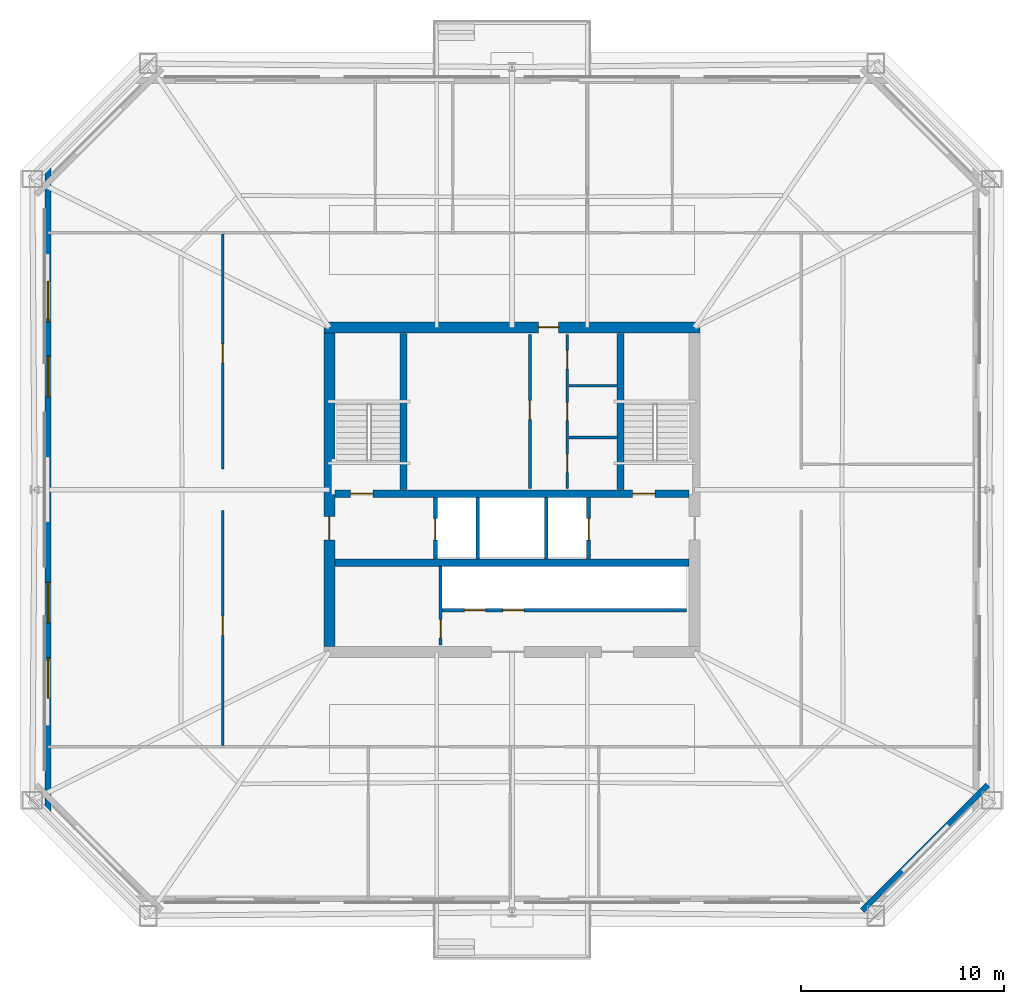
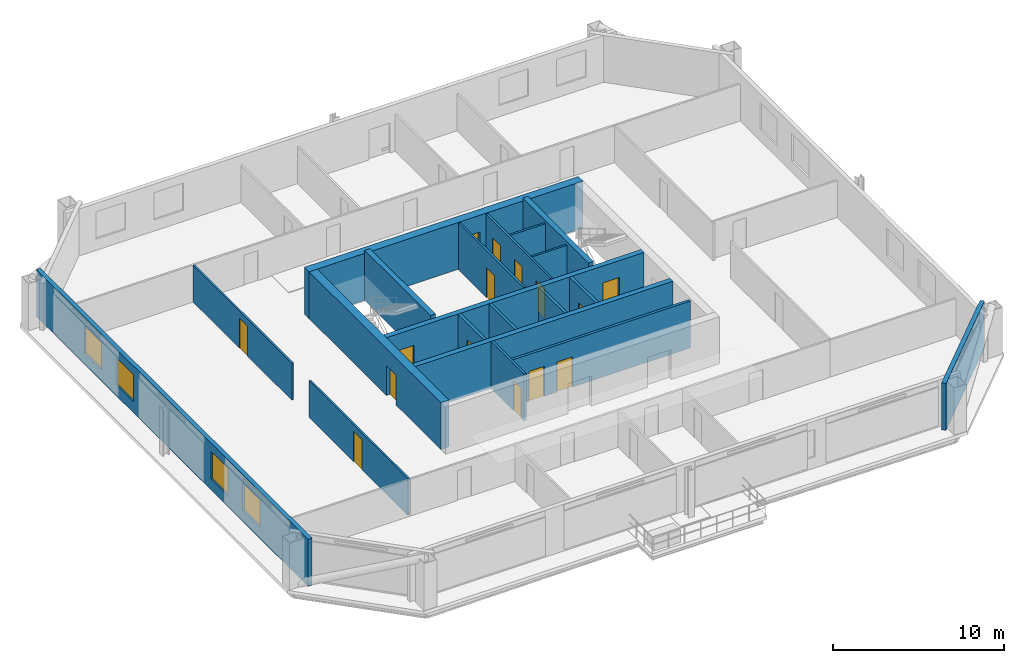
# One storey, part 3 of 7: 20 walls, 15 doors, 4 windows, 19 openings.
"""IFC4 building model written with IfcOpenShell, lengths in metres."""

from ifc_helpers import new_model, si_unit, direction, frame, frame_2d, origin, place, context, subcontext, project, spatial, rectangle, extrude, material, layer, layer_set, type_object, element, fill, save


model = new_model("IFC4")

# Units and contexts
model_context = context("Model", 3, precision=1e-05, world=origin(), true_north=direction((0.0, 1.0)))
body_context = subcontext(model_context, "Body", "Model", "MODEL_VIEW")
ifc_project = project(units=[si_unit("LENGTHUNIT", "METRE"), si_unit("AREAUNIT", "SQUARE_METRE"), si_unit("VOLUMEUNIT", "CUBIC_METRE"), si_unit("PLANEANGLEUNIT", "RADIAN"), si_unit("MASSUNIT", "GRAM", prefix="KILO")], contexts=[model_context])

# Site, building, storey
site_placement = place(None, origin())
site = spatial("IfcSite", under=ifc_project, at=site_placement, CompositionType="ELEMENT")
building_placement = place(site_placement, origin())
building = spatial("IfcBuilding", under=site, at=building_placement, Name="Caelvoria Tower", CompositionType="ELEMENT")
storey_placement = place(building_placement, frame((0.0, 0.0, 109.60009765625)))
storey = spatial("IfcBuildingStorey", under=building, at=storey_placement, Name="L28", CompositionType="ELEMENT", Elevation=109.60009765625)

# Wall, openings, doors
ifc_material_1 = material(Name="Concrete C50/60", Category="concrete")
ifc_layer_1 = layer(ifc_material_1, 0.35009765625, Name="Concrete C50/60")
ifc_layer_set_1 = layer_set([ifc_layer_1], Name="Core Internal Shear Wall 350 - Concrete C50/60")
wall_type_1 = type_object("IfcWallType", Name="Core Internal Shear Wall 350", PredefinedType="SHEAR", material=ifc_layer_set_1)
wall_1_placement = place(storey_placement, frame((37.27490234375, 31.800048828125, 0.0), z_axis=(0.0, 0.0, 1.0), x_axis=(1.0, 0.0, 0.0)))
wall_1 = element("IfcWall", 1, at=wall_1_placement, inside=storey, type_object=wall_type_1, Name="Core Shear Wall L28 M1", PredefinedType="SHEAR", context=body_context, shape_type="SweptSolid", body=[
    extrude(rectangle(XDim=17.4501953125, YDim=0.35009765625, at=frame_2d((8.72509765625, 0.0))), origin(), (0.0, 0.0, 1.0), 3.35986328125),
])
opening_1_placement = place(wall_1_placement, frame((0.77490234375, 0.0, 0.0)))
opening_1 = element("IfcOpeningElement", 2, at=opening_1_placement, cuts=wall_1, Name="Opening ID-01", PredefinedType="OPENING", context=body_context, shape_type="SweptSolid", body=[
    extrude(rectangle(XDim=1.10009765625, YDim=2.14990234375, at=frame_2d((0.550048828125, 1.074951171875))), frame((0.0, 0.18505859375, 0.0), z_axis=(0.0, -1.0, 0.0), x_axis=(1.0, 0.0, 0.0)), (0.0, 0.0, 1.0), 0.3701171875),
])
opening_2_placement = place(wall_1_placement, frame((14.675048828125, 0.0, 0.0)))
opening_2 = element("IfcOpeningElement", 3, at=opening_2_placement, cuts=wall_1, Name="Opening ID-01", PredefinedType="OPENING", context=body_context, shape_type="SweptSolid", body=[
    extrude(rectangle(XDim=1.10009765625, YDim=2.14990234375, at=frame_2d((0.550048828125, 1.074951171875))), frame((0.0, 0.18505859375, 0.0), z_axis=(0.0, -1.0, 0.0), x_axis=(1.0, 0.0, 0.0)), (0.0, 0.0, 1.0), 0.3701171875),
])
ifc_material_2 = material(Name="Painted Hollow Steel Fire Door", Category="steel")
door_type_1 = type_object("IfcDoorType", Name="Fire Door FD90S 1100x2150", OperationType="NOTDEFINED", PredefinedType="DOOR", material=ifc_material_2)
door_1_placement = place(opening_1_placement, origin())
door_1 = element("IfcDoor", 4, at=door_1_placement, inside=storey, type_object=door_type_1, Name="Core Door DR-L28-ST1", OperationType="SINGLE_SWING_LEFT", OverallHeight=2.14990234375, OverallWidth=1.10009765625, PredefinedType="DOOR", context=body_context, shape_type="SweptSolid", body=[
    extrude(rectangle(XDim=1.10009765625, YDim=2.14990234375, at=frame_2d((0.550048828125, 1.074951171875))), frame((0.0, 0.02490234375, 0.0), z_axis=(0.0, -1.0, 0.0), x_axis=(1.0, 0.0, 0.0)), (0.0, 0.0, 1.0), 0.050048828125),
])
fill(opening_1, door_1)
door_2_placement = place(opening_2_placement, origin())
door_2 = element("IfcDoor", 5, at=door_2_placement, inside=storey, type_object=door_type_1, Name="Core Door DR-L28-ST2", OperationType="SINGLE_SWING_RIGHT", OverallHeight=2.14990234375, OverallWidth=1.10009765625, PredefinedType="DOOR", context=body_context, shape_type="SweptSolid", body=[
    extrude(rectangle(XDim=1.10009765625, YDim=2.14990234375, at=frame_2d((0.550048828125, 1.074951171875))), frame((0.0, 0.02490234375, 0.0), z_axis=(0.0, -1.0, 0.0), x_axis=(1.0, 0.0, 0.0)), (0.0, 0.0, 1.0), 0.050048828125),
])
fill(opening_2, door_2)

# Walls
wall_2_placement = place(storey_placement, frame((37.27490234375, 28.39990234375, 0.0), z_axis=(0.0, 0.0, 1.0), x_axis=(1.0, 0.0, 0.0)))
element("IfcWall", 6, at=wall_2_placement, inside=storey, type_object=wall_type_1, Name="Core Shear Wall L28 M2", PredefinedType="SHEAR", context=body_context, shape_type="SweptSolid", body=[
    extrude(rectangle(XDim=17.4501953125, YDim=0.35009765625, at=frame_2d((8.72509765625, 0.0))), origin(), (0.0, 0.0, 1.0), 3.35986328125),
])
for number, where, z_axis, x_axis, name in (
    (7, (40.64990234375, 32.0, 0.0), (0.0, 0.0, 1.0), (0.0, 1.0, 0.0), "Interior Partition IW-L28-ST1E"),
    (8, (51.35009765625, 32.0, 0.0), (0.0, 0.0, 1.0), (0.0, 1.0, 0.0), "Interior Partition IW-L28-ST2W"),
):
    element("IfcWall", number, at=place(storey_placement, frame(where, z_axis=z_axis, x_axis=x_axis)), inside=storey, type_object=wall_type_1, Name=name, PredefinedType="SHEAR", context=body_context, shape_type="SweptSolid", body=[
        extrude(rectangle(XDim=7.699951171875, YDim=0.35009765625, at=frame_2d((3.85009765625, 0.0))), origin(), (0.0, 0.0, 1.0), 3.599853515625),
    ])

# Wall, opening, door
ifc_material_3 = material(Name="Moisture-Resistant Gypsum on Steel Stud", Category="steel")
ifc_layer_2 = layer(ifc_material_3, 0.139892578125, Name="Moisture-Resistant Gypsum on Steel Stud")
ifc_layer_set_2 = layer_set([ifc_layer_2], Name="Core Sanitary Acoustic Partition Wall 140 - Moisture-Resistant Gypsum on Steel Stud")
wall_type_2 = type_object("IfcWallType", Name="Core Sanitary Acoustic Partition Wall 140", PredefinedType="PARTITIONING", material=ifc_layer_set_2)
wall_3_placement = place(storey_placement, frame((46.8798828125, 32.050048828125, 0.0), z_axis=(0.0, 0.0, 1.0), x_axis=(0.0, 1.0, 0.0)))
wall_3 = element("IfcWall", 9, at=wall_3_placement, inside=storey, type_object=wall_type_2, Name="Interior Partition IW-L28-C2L", PredefinedType="PARTITIONING", context=body_context, shape_type="SweptSolid", body=[
    extrude(rectangle(XDim=7.599853515625, YDim=0.139892578125, at=frame_2d((3.7998046875, 0.0))), origin(), (0.0, 0.0, 1.0), 3.35986328125),
])
opening_3_placement = place(wall_3_placement, frame((3.39990234375, 0.0, 0.0)))
opening_3 = element("IfcOpeningElement", 10, at=opening_3_placement, cuts=wall_3, Name="Opening ID-05", PredefinedType="OPENING", context=body_context, shape_type="SweptSolid", body=[
    extrude(rectangle(XDim=0.949951171875, YDim=2.14990234375, at=frame_2d((0.47509765625, 1.074951171875))), frame((0.0, 0.079833984375, 0.0), z_axis=(0.0, -1.0, 0.0), x_axis=(1.0, 0.0, 0.0)), (0.0, 0.0, 1.0), 0.159912109375),
])
ifc_material_4 = material(Name="Engineered Andean Oak Veneer Door", Category="wood")
door_type_2 = type_object("IfcDoorType", Name="Interior Timber Door 950x2150", OperationType="NOTDEFINED", PredefinedType="DOOR", material=ifc_material_4)
door_3_placement = place(opening_3_placement, origin())
door_3 = element("IfcDoor", 11, at=door_3_placement, inside=storey, type_object=door_type_2, Name="Interior Door DR-L28-C2W", OperationType="SINGLE_SWING_LEFT", OverallHeight=2.14990234375, OverallWidth=0.949951171875, PredefinedType="DOOR", context=body_context, shape_type="SweptSolid", body=[
    extrude(rectangle(XDim=0.949951171875, YDim=2.14990234375, at=frame_2d((0.47509765625, 1.074951171875))), frame((0.0, 0.02490234375, 0.0), z_axis=(0.0, -1.0, 0.0), x_axis=(1.0, 0.0, 0.0)), (0.0, 0.0, 1.0), 0.050048828125),
])
fill(opening_3, door_3)

# Wall, openings, doors
wall_4_placement = place(storey_placement, frame((48.719970703125, 32.050048828125, 0.0), z_axis=(0.0, 0.0, 1.0), x_axis=(0.0, 1.0, 0.0)))
wall_4 = element("IfcWall", 12, at=wall_4_placement, inside=storey, type_object=wall_type_2, Name="Interior Partition IW-L28-C2R", PredefinedType="PARTITIONING", context=body_context, shape_type="SweptSolid", body=[
    extrude(rectangle(XDim=7.599853515625, YDim=0.139892578125, at=frame_2d((3.7998046875, 0.0))), origin(), (0.0, 0.0, 1.0), 3.35986328125),
])
opening_4_placement = place(wall_4_placement, frame((0.800048828125, 0.0, 0.0)))
opening_4 = element("IfcOpeningElement", 13, at=opening_4_placement, cuts=wall_4, Name="Opening ID-04", PredefinedType="OPENING", context=body_context, shape_type="SweptSolid", body=[
    extrude(rectangle(XDim=0.89990234375, YDim=2.14990234375, at=frame_2d((0.449951171875, 1.074951171875))), frame((0.0, 0.079833984375, 0.0), z_axis=(0.0, -1.0, 0.0), x_axis=(1.0, 0.0, 0.0)), (0.0, 0.0, 1.0), 0.159912109375),
])
opening_5_placement = place(wall_4_placement, frame((3.35009765625, 0.0, 0.0)))
opening_5 = element("IfcOpeningElement", 14, at=opening_5_placement, cuts=wall_4, Name="Opening ID-06", PredefinedType="OPENING", context=body_context, shape_type="SweptSolid", body=[
    extrude(rectangle(XDim=0.89990234375, YDim=2.14990234375, at=frame_2d((0.449951171875, 1.074951171875))), frame((0.0, 0.079833984375, 0.0), z_axis=(0.0, -1.0, 0.0), x_axis=(1.0, 0.0, 0.0)), (0.0, 0.0, 1.0), 0.159912109375),
])
opening_6_placement = place(wall_4_placement, frame((5.89990234375, 0.0, 0.0)))
opening_6 = element("IfcOpeningElement", 15, at=opening_6_placement, cuts=wall_4, Name="Opening ID-07", PredefinedType="OPENING", context=body_context, shape_type="SweptSolid", body=[
    extrude(rectangle(XDim=0.919921875, YDim=2.14990234375, at=frame_2d((0.4599609375, 1.074951171875))), frame((0.0, 0.079833984375, 0.0), z_axis=(0.0, -1.0, 0.0), x_axis=(1.0, 0.0, 0.0)), (0.0, 0.0, 1.0), 0.159912109375),
])
ifc_material_5 = material(Name="Engineered Andean Oak Accessible Door", Category="wood")
door_type_3 = type_object("IfcDoorType", Name="Accessible WC Door 950x2150", OperationType="NOTDEFINED", PredefinedType="DOOR", material=ifc_material_5)
door_4_placement = place(opening_6_placement, origin())
door_4 = element("IfcDoor", 16, at=door_4_placement, inside=storey, type_object=door_type_3, Name="Interior Door DR-L28-C2E3", OperationType="SINGLE_SWING_RIGHT", OverallHeight=2.14990234375, OverallWidth=0.919921875, PredefinedType="DOOR", context=body_context, shape_type="SweptSolid", body=[
    extrude(rectangle(XDim=0.919921875, YDim=2.14990234375, at=frame_2d((0.4599609375, 1.074951171875))), frame((0.0, 0.02490234375, 0.0), z_axis=(0.0, -1.0, 0.0), x_axis=(1.0, 0.0, 0.0)), (0.0, 0.0, 1.0), 0.050048828125),
])
fill(opening_6, door_4)
ifc_material_6 = material(Name="Acoustic Timber Fire Door", Category="wood")
door_type_4 = type_object("IfcDoorType", Name="Fire Door FD30S 900x2150", OperationType="NOTDEFINED", PredefinedType="DOOR", material=ifc_material_6)
door_5_placement = place(opening_4_placement, origin())
door_5 = element("IfcDoor", 17, at=door_5_placement, inside=storey, type_object=door_type_4, Name="Interior Door DR-L28-C2E1", OperationType="SINGLE_SWING_RIGHT", OverallHeight=2.14990234375, OverallWidth=0.89990234375, PredefinedType="DOOR", context=body_context, shape_type="SweptSolid", body=[
    extrude(rectangle(XDim=0.89990234375, YDim=2.14990234375, at=frame_2d((0.449951171875, 1.074951171875))), frame((0.0, 0.02490234375, 0.0), z_axis=(0.0, -1.0, 0.0), x_axis=(1.0, 0.0, 0.0)), (0.0, 0.0, 1.0), 0.050048828125),
])
fill(opening_4, door_5)
door_type_5 = type_object("IfcDoorType", Name="Interior Timber Door 900x2150", OperationType="NOTDEFINED", PredefinedType="DOOR", material=ifc_material_4)
door_6_placement = place(opening_5_placement, origin())
door_6 = element("IfcDoor", 18, at=door_6_placement, inside=storey, type_object=door_type_5, Name="Interior Door DR-L28-C2E2", OperationType="SINGLE_SWING_LEFT", OverallHeight=2.14990234375, OverallWidth=0.89990234375, PredefinedType="DOOR", context=body_context, shape_type="SweptSolid", body=[
    extrude(rectangle(XDim=0.89990234375, YDim=2.14990234375, at=frame_2d((0.449951171875, 1.074951171875))), frame((0.0, 0.02490234375, 0.0), z_axis=(0.0, -1.0, 0.0), x_axis=(1.0, 0.0, 0.0)), (0.0, 0.0, 1.0), 0.050048828125),
])
fill(opening_5, door_6)

# Walls
for number, where, z_axis, x_axis, name in (
    (19, (48.800048828125, 34.580078125, 0.0), (0.0, 0.0, 1.0), (1.0, 0.0, 0.0), "Interior Partition IW-L28-C2H1"),
    (20, (48.800048828125, 37.1201171875, 0.0), (0.0, 0.0, 1.0), (1.0, 0.0, 0.0), "Interior Partition IW-L28-C2H2"),
):
    element("IfcWall", number, at=place(storey_placement, frame(where, z_axis=z_axis, x_axis=x_axis)), inside=storey, type_object=wall_type_2, Name=name, PredefinedType="PARTITIONING", context=body_context, shape_type="SweptSolid", body=[
        extrude(rectangle(XDim=2.39990234375, YDim=0.139892578125, at=frame_2d((1.199951171875, 0.0))), origin(), (0.0, 0.0, 1.0), 3.35986328125),
    ])

# Wall, opening, door
ifc_material_7 = material(Name="Double Gypsum Board on Steel Stud", Category="steel")
ifc_layer_3 = layer(ifc_material_7, 0.14990234375, Name="Double Gypsum Board on Steel Stud")
ifc_layer_set_3 = layer_set([ifc_layer_3], Name="Core Service Acoustic Partition Wall 150 - Double Gypsum Board on Steel Stud")
wall_type_3 = type_object("IfcWallType", Name="Core Service Acoustic Partition Wall 150", PredefinedType="PARTITIONING", material=ifc_layer_set_3)
wall_5_placement = place(storey_placement, frame((42.47998046875, 24.35009765625, 0.0), z_axis=(0.0, 0.0, 1.0), x_axis=(0.0, 1.0, 0.0)))
wall_5 = element("IfcWall", 21, at=wall_5_placement, inside=storey, type_object=wall_type_3, Name="Interior Partition IW-L28-RECL1E", PredefinedType="PARTITIONING", context=body_context, shape_type="SweptSolid", body=[
    extrude(rectangle(XDim=3.89990234375, YDim=0.14990234375, at=frame_2d((1.949951171875, 0.0))), origin(), (0.0, 0.0, 1.0), 3.35986328125),
])
opening_7_placement = place(wall_5_placement, frame((0.35009765625, 0.0, 0.0)))
opening_7 = element("IfcOpeningElement", 22, at=opening_7_placement, cuts=wall_5, Name="Opening ID-04", PredefinedType="OPENING", context=body_context, shape_type="SweptSolid", body=[
    extrude(rectangle(XDim=0.89990234375, YDim=2.14990234375, at=frame_2d((0.449951171875, 1.074951171875))), frame((0.0, 0.0849609375, 0.0), z_axis=(0.0, -1.0, 0.0), x_axis=(1.0, 0.0, 0.0)), (0.0, 0.0, 1.0), 0.169921875),
])
door_7_placement = place(opening_7_placement, origin())
door_7 = element("IfcDoor", 23, at=door_7_placement, inside=storey, type_object=door_type_4, Name="Interior Door DR-L28-RECL1", OperationType="SINGLE_SWING_LEFT", OverallHeight=2.14990234375, OverallWidth=0.89990234375, PredefinedType="DOOR", context=body_context, shape_type="SweptSolid", body=[
    extrude(rectangle(XDim=0.89990234375, YDim=2.14990234375, at=frame_2d((0.449951171875, 1.074951171875))), frame((0.0, 0.02490234375, 0.0), z_axis=(0.0, -1.0, 0.0), x_axis=(1.0, 0.0, 0.0)), (0.0, 0.0, 1.0), 0.050048828125),
])
fill(opening_7, door_7)

# Wall
ifc_material_8 = material(Name="Precast Concrete C40/50 with Bronze Cladding", Category="concrete")
ifc_layer_4 = layer(ifc_material_8, 0.280029296875, Name="Precast Concrete C40/50 with Bronze Cladding")
ifc_layer_set_4 = layer_set([ifc_layer_4], Name="Exterior Precast Concrete C40/50 Bronze-Clad Facade Wall 280 - Precast Concrete C40/50 with Bronze Cladding")
wall_type_4 = type_object("IfcWallType", Name="Exterior Precast Concrete C40/50 Bronze-Clad Facade Wall 280", PredefinedType="STANDARD", material=ifc_layer_set_4)
wall_6_placement = place(storey_placement, frame((63.25439453125, 11.256103515625, 0.0), z_axis=(0.0, 0.0, 1.0), x_axis=(0.707106781187, 0.707106781187, 0.0)))
element("IfcWall", 24, at=wall_6_placement, inside=storey, type_object=wall_type_4, Name="Exterior Facade Wall L28-E1", PredefinedType="STANDARD", context=body_context, shape_type="SweptSolid", body=[
    extrude(rectangle(XDim=8.753173828125, YDim=0.280029296875, at=frame_2d((4.37646484375, 0.0))), origin(), (0.0, 0.0, 1.0), 3.35986328125),
])

# Wall, openings, windows
wall_7_placement = place(storey_placement, frame((23.1298828125, 47.93994140625, 0.0), z_axis=(0.0, 0.0, 1.0), x_axis=(0.0, -1.0, 0.0)))
wall_7 = element("IfcWall", 25, at=wall_7_placement, inside=storey, type_object=wall_type_4, Name="Exterior Facade Wall L28-E6", PredefinedType="STANDARD", context=body_context, shape_type="SweptSolid", body=[
    extrude(rectangle(XDim=31.8798828125, YDim=0.280029296875, at=frame_2d((15.93994140625, 0.0))), origin(), (0.0, 0.0, 1.0), 3.35986328125),
])
opening_8_placement = place(wall_7_placement, frame((5.6650390625, 0.0, 0.800048828125)))
opening_8 = element("IfcOpeningElement", 26, at=opening_8_placement, cuts=wall_7, Name="Opening WN-01", PredefinedType="OPENING", context=body_context, shape_type="SweptSolid", body=[
    extrude(rectangle(XDim=2.0, YDim=1.949951171875, at=frame_2d((1.0, 0.97509765625))), frame((0.0, 0.14990234375, 0.0), z_axis=(0.0, -1.0, 0.0), x_axis=(1.0, 0.0, 0.0)), (0.0, 0.0, 1.0), 0.300048828125),
])
opening_9_placement = place(wall_7_placement, frame((9.375, 0.0, 0.800048828125)))
opening_9 = element("IfcOpeningElement", 27, at=opening_9_placement, cuts=wall_7, Name="Opening WN-01", PredefinedType="OPENING", context=body_context, shape_type="SweptSolid", body=[
    extrude(rectangle(XDim=2.0, YDim=1.949951171875, at=frame_2d((1.0, 0.97509765625))), frame((0.0, 0.14990234375, 0.0), z_axis=(0.0, -1.0, 0.0), x_axis=(1.0, 0.0, 0.0)), (0.0, 0.0, 1.0), 0.300048828125),
])
opening_10_placement = place(wall_7_placement, frame((20.5048828125, 0.0, 0.800048828125)))
opening_10 = element("IfcOpeningElement", 28, at=opening_10_placement, cuts=wall_7, Name="Opening WN-01", PredefinedType="OPENING", context=body_context, shape_type="SweptSolid", body=[
    extrude(rectangle(XDim=2.0, YDim=1.949951171875, at=frame_2d((1.0, 0.97509765625))), frame((0.0, 0.14990234375, 0.0), z_axis=(0.0, -1.0, 0.0), x_axis=(1.0, 0.0, 0.0)), (0.0, 0.0, 1.0), 0.300048828125),
])
opening_11_placement = place(wall_7_placement, frame((24.215087890625, 0.0, 0.800048828125)))
opening_11 = element("IfcOpeningElement", 29, at=opening_11_placement, cuts=wall_7, Name="Opening WN-01", PredefinedType="OPENING", context=body_context, shape_type="SweptSolid", body=[
    extrude(rectangle(XDim=2.0, YDim=1.949951171875, at=frame_2d((1.0, 0.97509765625))), frame((0.0, 0.14990234375, 0.0), z_axis=(0.0, -1.0, 0.0), x_axis=(1.0, 0.0, 0.0)), (0.0, 0.0, 1.0), 0.300048828125),
])
ifc_material_9 = material(Name="Low-E Tinted Glass in Bronze Aluminium Frame", Category="aluminium")
window_type = type_object("IfcWindowType", Name="Tower Office Vision Window 2000x1950", PartitioningType="SINGLE_PANEL", PredefinedType="WINDOW", material=ifc_material_9)
window_1_placement = place(opening_8_placement, origin())
window_1 = element("IfcWindow", 30, at=window_1_placement, inside=storey, type_object=window_type, Name="Facade Window L28-E6-01", OverallHeight=1.949951171875, OverallWidth=2.0, PartitioningType="SINGLE_PANEL", PredefinedType="WINDOW", context=body_context, shape_type="SweptSolid", body=[
    extrude(rectangle(XDim=2.0, YDim=1.949951171875, at=frame_2d((1.0, 0.97509765625))), frame((0.0, 0.030029296875, 0.0), z_axis=(0.0, -1.0, 0.0), x_axis=(1.0, 0.0, 0.0)), (0.0, 0.0, 1.0), 0.06005859375),
])
fill(opening_8, window_1)
window_2_placement = place(opening_9_placement, origin())
window_2 = element("IfcWindow", 31, at=window_2_placement, inside=storey, type_object=window_type, Name="Facade Window L28-E6-02", OverallHeight=1.949951171875, OverallWidth=2.0, PartitioningType="SINGLE_PANEL", PredefinedType="WINDOW", context=body_context, shape_type="SweptSolid", body=[
    extrude(rectangle(XDim=2.0, YDim=1.949951171875, at=frame_2d((1.0, 0.97509765625))), frame((0.0, 0.030029296875, 0.0), z_axis=(0.0, -1.0, 0.0), x_axis=(1.0, 0.0, 0.0)), (0.0, 0.0, 1.0), 0.06005859375),
])
fill(opening_9, window_2)
window_3_placement = place(opening_10_placement, origin())
window_3 = element("IfcWindow", 32, at=window_3_placement, inside=storey, type_object=window_type, Name="Facade Window L28-E6-05", OverallHeight=1.949951171875, OverallWidth=2.0, PartitioningType="SINGLE_PANEL", PredefinedType="WINDOW", context=body_context, shape_type="SweptSolid", body=[
    extrude(rectangle(XDim=2.0, YDim=1.949951171875, at=frame_2d((1.0, 0.97509765625))), frame((0.0, 0.030029296875, 0.0), z_axis=(0.0, -1.0, 0.0), x_axis=(1.0, 0.0, 0.0)), (0.0, 0.0, 1.0), 0.06005859375),
])
fill(opening_10, window_3)
window_4_placement = place(opening_11_placement, origin())
window_4 = element("IfcWindow", 33, at=window_4_placement, inside=storey, type_object=window_type, Name="Facade Window L28-E6-06", OverallHeight=1.949951171875, OverallWidth=2.0, PartitioningType="SINGLE_PANEL", PredefinedType="WINDOW", context=body_context, shape_type="SweptSolid", body=[
    extrude(rectangle(XDim=2.0, YDim=1.949951171875, at=frame_2d((1.0, 0.97509765625))), frame((0.0, 0.030029296875, 0.0), z_axis=(0.0, -1.0, 0.0), x_axis=(1.0, 0.0, 0.0)), (0.0, 0.0, 1.0), 0.06005859375),
])
fill(opening_11, window_4)

# Walls
ifc_material_10 = material(Name="Concrete Block and Fireboard Assembly", Category="concrete")
ifc_layer_5 = layer(ifc_material_10, 0.179931640625, Name="Concrete Block and Fireboard Assembly")
ifc_layer_set_5 = layer_set([ifc_layer_5], Name="Fire-Rated Hoistway Partition Wall 180 - Concrete Block and Fireboard Assembly")
wall_type_5 = type_object("IfcWallType", Name="Fire-Rated Hoistway Partition Wall 180", PredefinedType="PARTITIONING", material=ifc_layer_set_5)
for number, where, z_axis, x_axis, name in (
    (34, (44.320068359375, 28.580078125, 0.0), (0.0, 0.0, 1.0), (0.0, 1.0, 0.0), "Interior Partition IW-L28-SV1W"),
    (35, (47.679931640625, 28.580078125, 0.0), (0.0, 0.0, 1.0), (0.0, 1.0, 0.0), "Interior Partition IW-L28-SV1E"),
):
    element("IfcWall", number, at=place(storey_placement, frame(where, z_axis=z_axis, x_axis=x_axis)), inside=storey, type_object=wall_type_5, Name=name, PredefinedType="PARTITIONING", context=body_context, shape_type="SweptSolid", body=[
        extrude(rectangle(XDim=3.0400390625, YDim=0.179931640625, at=frame_2d((1.52001953125, 0.0))), origin(), (0.0, 0.0, 1.0), 3.35986328125),
    ])

# Wall, openings, doors
wall_8_placement = place(storey_placement, frame((42.550048828125, 26.050048828125, 0.0), z_axis=(0.0, 0.0, 1.0), x_axis=(1.0, 0.0, 0.0)))
wall_8 = element("IfcWall", 36, at=wall_8_placement, inside=storey, type_object=wall_type_5, Name="Interior Partition IW-L28-LFRONT", PredefinedType="PARTITIONING", context=body_context, shape_type="SweptSolid", body=[
    extrude(rectangle(XDim=12.050048828125, YDim=0.179931640625, at=frame_2d((6.02490234375, 0.0))), origin(), (0.0, 0.0, 1.0), 3.35986328125),
])
opening_12_placement = place(wall_8_placement, frame((1.10009765625, 0.0, 0.0)))
opening_12 = element("IfcOpeningElement", 37, at=opening_12_placement, cuts=wall_8, Name="Opening LD-01", PredefinedType="OPENING", context=body_context, shape_type="SweptSolid", body=[
    extrude(rectangle(XDim=1.050048828125, YDim=2.14990234375, at=frame_2d((0.52490234375, 1.074951171875))), frame((0.0, 0.099853515625, 0.0), z_axis=(0.0, -1.0, 0.0), x_axis=(1.0, 0.0, 0.0)), (0.0, 0.0, 1.0), 0.199951171875),
])
opening_13_placement = place(wall_8_placement, frame((3.0, 0.0, 0.0)))
opening_13 = element("IfcOpeningElement", 38, at=opening_13_placement, cuts=wall_8, Name="Opening LD-01", PredefinedType="OPENING", context=body_context, shape_type="SweptSolid", body=[
    extrude(rectangle(XDim=1.050048828125, YDim=2.14990234375, at=frame_2d((0.52490234375, 1.074951171875))), frame((0.0, 0.099853515625, 0.0), z_axis=(0.0, -1.0, 0.0), x_axis=(1.0, 0.0, 0.0)), (0.0, 0.0, 1.0), 0.199951171875),
])
ifc_material_11 = material(Name="Brushed Bronze Stainless Sliding Landing Door", Category="aluminium")
door_type_6 = type_object("IfcDoorType", Name="Lift Landing Sliding Door 1100x2150", OperationType="NOTDEFINED", PredefinedType="DOOR", material=ifc_material_11)
door_8_placement = place(opening_12_placement, origin())
door_8 = element("IfcDoor", 39, at=door_8_placement, inside=storey, type_object=door_type_6, Name="Interior Door LD-L28-PM1", OperationType="SLIDING_TO_LEFT", OverallHeight=2.14990234375, OverallWidth=1.050048828125, PredefinedType="DOOR", context=body_context, shape_type="SweptSolid", body=[
    extrude(rectangle(XDim=1.050048828125, YDim=2.14990234375, at=frame_2d((0.52490234375, 1.074951171875))), frame((0.0, 0.02490234375, 0.0), z_axis=(0.0, -1.0, 0.0), x_axis=(1.0, 0.0, 0.0)), (0.0, 0.0, 1.0), 0.050048828125),
])
fill(opening_12, door_8)
door_9_placement = place(opening_13_placement, origin())
door_9 = element("IfcDoor", 40, at=door_9_placement, inside=storey, type_object=door_type_6, Name="Interior Door LD-L28-PM2", OperationType="SLIDING_TO_RIGHT", OverallHeight=2.14990234375, OverallWidth=1.050048828125, PredefinedType="DOOR", context=body_context, shape_type="SweptSolid", body=[
    extrude(rectangle(XDim=1.050048828125, YDim=2.14990234375, at=frame_2d((0.52490234375, 1.074951171875))), frame((0.0, 0.02490234375, 0.0), z_axis=(0.0, -1.0, 0.0), x_axis=(1.0, 0.0, 0.0)), (0.0, 0.0, 1.0), 0.050048828125),
])
fill(opening_13, door_9)

# Wall, opening, door
ifc_layer_6 = layer(ifc_material_10, 0.199951171875, Name="Concrete Block and Fireboard Assembly")
ifc_layer_set_6 = layer_set([ifc_layer_6], Name="Fire-Rated Shaft and Core Partition Wall 200 - Concrete Block and Fireboard Assembly")
wall_type_6 = type_object("IfcWallType", Name="Fire-Rated Shaft and Core Partition Wall 200", PredefinedType="PARTITIONING", material=ifc_layer_set_6)
wall_9_placement = place(storey_placement, frame((42.219970703125, 28.580078125, 0.0), z_axis=(0.0, 0.0, 1.0), x_axis=(0.0, 1.0, 0.0)))
wall_9 = element("IfcWall", 41, at=wall_9_placement, inside=storey, type_object=wall_type_6, Name="Interior Partition IW-L28-LF1W", PredefinedType="PARTITIONING", context=body_context, shape_type="SweptSolid", body=[
    extrude(rectangle(XDim=3.0400390625, YDim=0.199951171875, at=frame_2d((1.52001953125, 0.0))), origin(), (0.0, 0.0, 1.0), 3.35986328125),
])
opening_14_placement = place(wall_9_placement, frame((0.949951171875, 0.0, 0.0)))
opening_14 = element("IfcOpeningElement", 42, at=opening_14_placement, cuts=wall_9, Name="Opening LD-01", PredefinedType="OPENING", context=body_context, shape_type="SweptSolid", body=[
    extrude(rectangle(XDim=1.050048828125, YDim=2.14990234375, at=frame_2d((0.52490234375, 1.074951171875))), frame((0.0, 0.10986328125, 0.0), z_axis=(0.0, -1.0, 0.0), x_axis=(1.0, 0.0, 0.0)), (0.0, 0.0, 1.0), 0.219970703125),
])
door_10_placement = place(opening_14_placement, origin())
door_10 = element("IfcDoor", 43, at=door_10_placement, inside=storey, type_object=door_type_6, Name="Interior Door LD-L28-LF1", OperationType="SLIDING_TO_LEFT", OverallHeight=2.14990234375, OverallWidth=1.050048828125, PredefinedType="DOOR", context=body_context, shape_type="SweptSolid", body=[
    extrude(rectangle(XDim=1.050048828125, YDim=2.14990234375, at=frame_2d((0.52490234375, 1.074951171875))), frame((0.0, 0.02490234375, 0.0), z_axis=(0.0, -1.0, 0.0), x_axis=(1.0, 0.0, 0.0)), (0.0, 0.0, 1.0), 0.050048828125),
])
fill(opening_14, door_10)

wall_10_placement = place(storey_placement, frame((49.780029296875, 28.580078125, 0.0), z_axis=(0.0, 0.0, 1.0), x_axis=(0.0, 1.0, 0.0)))
wall_10 = element("IfcWall", 44, at=wall_10_placement, inside=storey, type_object=wall_type_6, Name="Interior Partition IW-L28-LF2E", PredefinedType="PARTITIONING", context=body_context, shape_type="SweptSolid", body=[
    extrude(rectangle(XDim=3.0400390625, YDim=0.199951171875, at=frame_2d((1.52001953125, 0.0))), origin(), (0.0, 0.0, 1.0), 3.35986328125),
])
opening_15_placement = place(wall_10_placement, frame((0.949951171875, 0.0, 0.0)))
opening_15 = element("IfcOpeningElement", 45, at=opening_15_placement, cuts=wall_10, Name="Opening LD-01", PredefinedType="OPENING", context=body_context, shape_type="SweptSolid", body=[
    extrude(rectangle(XDim=1.050048828125, YDim=2.14990234375, at=frame_2d((0.52490234375, 1.074951171875))), frame((0.0, 0.10986328125, 0.0), z_axis=(0.0, -1.0, 0.0), x_axis=(1.0, 0.0, 0.0)), (0.0, 0.0, 1.0), 0.219970703125),
])
door_11_placement = place(opening_15_placement, origin())
door_11 = element("IfcDoor", 46, at=door_11_placement, inside=storey, type_object=door_type_6, Name="Interior Door LD-L28-LF2", OperationType="SLIDING_TO_RIGHT", OverallHeight=2.14990234375, OverallWidth=1.050048828125, PredefinedType="DOOR", context=body_context, shape_type="SweptSolid", body=[
    extrude(rectangle(XDim=1.050048828125, YDim=2.14990234375, at=frame_2d((0.52490234375, 1.074951171875))), frame((0.0, 0.02490234375, 0.0), z_axis=(0.0, -1.0, 0.0), x_axis=(1.0, 0.0, 0.0)), (0.0, 0.0, 1.0), 0.050048828125),
])
fill(opening_15, door_11)

ifc_material_12 = material(Name="Concrete C55/67", Category="concrete")
ifc_layer_7 = layer(ifc_material_12, 0.550048828125, Name="Concrete C55/67")
ifc_layer_set_7 = layer_set([ifc_layer_7], Name="Mid Core Shear Wall 550 - Concrete C55/67")
wall_type_7 = type_object("IfcWallType", Name="Mid Core Shear Wall 550", PredefinedType="SHEAR", material=ifc_layer_set_7)
wall_11_placement = place(storey_placement, frame((36.72509765625, 40.0, 0.0), z_axis=(0.0, 0.0, 1.0), x_axis=(1.0, 0.0, 0.0)))
wall_11 = element("IfcWall", 47, at=wall_11_placement, inside=storey, type_object=wall_type_7, Name="Core Shear Wall L28 N", PredefinedType="SHEAR", context=body_context, shape_type="SweptSolid", body=[
    extrude(rectangle(XDim=18.5498046875, YDim=0.550048828125, at=frame_2d((9.27490234375, 0.0))), origin(), (0.0, 0.0, 1.0), 3.35986328125),
])
opening_16_placement = place(wall_11_placement, frame((10.574951171875, 0.0, 0.0)))
opening_16 = element("IfcOpeningElement", 48, at=opening_16_placement, cuts=wall_11, Name="Opening ID-03", PredefinedType="OPENING", context=body_context, shape_type="SweptSolid", body=[
    extrude(rectangle(XDim=1.0, YDim=2.14990234375, at=frame_2d((0.5, 1.074951171875))), frame((0.0, 0.284912109375, 0.0), z_axis=(0.0, -1.0, 0.0), x_axis=(1.0, 0.0, 0.0)), (0.0, 0.0, 1.0), 0.570068359375),
])
door_type_7 = type_object("IfcDoorType", Name="Fire Door FD60S 1000x2150", OperationType="NOTDEFINED", PredefinedType="DOOR", material=ifc_material_2)
door_12_placement = place(opening_16_placement, origin())
door_12 = element("IfcDoor", 49, at=door_12_placement, inside=storey, type_object=door_type_7, Name="Core Door DR-L28-WC-MAIN", OperationType="SINGLE_SWING_RIGHT", OverallHeight=2.14990234375, OverallWidth=1.0, PredefinedType="DOOR", context=body_context, shape_type="SweptSolid", body=[
    extrude(rectangle(XDim=1.0, YDim=2.14990234375, at=frame_2d((0.5, 1.074951171875))), frame((0.0, 0.02490234375, 0.0), z_axis=(0.0, -1.0, 0.0), x_axis=(1.0, 0.0, 0.0)), (0.0, 0.0, 1.0), 0.050048828125),
])
fill(opening_16, door_12)

wall_12_placement = place(storey_placement, frame((37.0, 24.27490234375, 0.0), z_axis=(0.0, 0.0, 1.0), x_axis=(0.0, 1.0, 0.0)))
wall_12 = element("IfcWall", 50, at=wall_12_placement, inside=storey, type_object=wall_type_7, Name="Core Shear Wall L28 W", PredefinedType="SHEAR", context=body_context, shape_type="SweptSolid", body=[
    extrude(rectangle(XDim=15.4501953125, YDim=0.550048828125, at=frame_2d((7.72509765625, 0.0))), origin(), (0.0, 0.0, 1.0), 3.35986328125),
])
opening_17_placement = place(wall_12_placement, frame((5.25, 0.0, 0.0)))
opening_17 = element("IfcOpeningElement", 51, at=opening_17_placement, cuts=wall_12, Name="Opening ID-02", PredefinedType="OPENING", context=body_context, shape_type="SweptSolid", body=[
    extrude(rectangle(XDim=1.14990234375, YDim=2.14990234375, at=frame_2d((0.574951171875, 1.074951171875))), frame((0.0, 0.284912109375, 0.0), z_axis=(0.0, -1.0, 0.0), x_axis=(1.0, 0.0, 0.0)), (0.0, 0.0, 1.0), 0.570068359375),
])
door_type_8 = type_object("IfcDoorType", Name="Fire Door FD60S 1150x2150", OperationType="NOTDEFINED", PredefinedType="DOOR", material=ifc_material_2)
door_13_placement = place(opening_17_placement, origin())
door_13 = element("IfcDoor", 52, at=door_13_placement, inside=storey, type_object=door_type_8, Name="Core Door DR-L28-FFLW-OUT", OperationType="SINGLE_SWING_LEFT", OverallHeight=2.14990234375, OverallWidth=1.14990234375, PredefinedType="DOOR", context=body_context, shape_type="SweptSolid", body=[
    extrude(rectangle(XDim=1.14990234375, YDim=2.14990234375, at=frame_2d((0.574951171875, 1.074951171875))), frame((0.0, 0.02490234375, 0.0), z_axis=(0.0, -1.0, 0.0), x_axis=(1.0, 0.0, 0.0)), (0.0, 0.0, 1.0), 0.050048828125),
])
fill(opening_17, door_13)

ifc_material_13 = material(Name="Acoustic Gypsum Board on Light-Gauge Stud", Category="gypsum")
ifc_layer_8 = layer(ifc_material_13, 0.1201171875, Name="Acoustic Gypsum Board on Light-Gauge Stud")
ifc_layer_set_8 = layer_set([ifc_layer_8], Name="Tenant Suite Acoustic Partition Wall 120 - Acoustic Gypsum Board on Light-Gauge Stud")
wall_type_8 = type_object("IfcWallType", Name="Tenant Suite Acoustic Partition Wall 120", PredefinedType="PARTITIONING", material=ifc_layer_set_8)
wall_13_placement = place(storey_placement, frame((31.739990234375, 19.39990234375, 0.0), z_axis=(0.0, 0.0, 1.0), x_axis=(0.0, 1.0, 0.0)))
wall_13 = element("IfcWall", 53, at=wall_13_placement, inside=storey, type_object=wall_type_8, Name="Interior Partition IW-L28-WCW-0", PredefinedType="PARTITIONING", context=body_context, shape_type="SweptSolid", body=[
    extrude(rectangle(XDim=11.580078125, YDim=0.1201171875, at=frame_2d((5.7900390625, 0.0))), origin(), (0.0, 0.0, 1.0), 2.639892578125),
])
opening_18_placement = place(wall_13_placement, frame((5.4150390625, 0.0, 0.0)))
opening_18 = element("IfcOpeningElement", 54, at=opening_18_placement, cuts=wall_13, Name="Opening ID-05", PredefinedType="OPENING", context=body_context, shape_type="SweptSolid", body=[
    extrude(rectangle(XDim=0.949951171875, YDim=2.14990234375, at=frame_2d((0.47509765625, 1.074951171875))), frame((0.0, 0.070068359375, 0.0), z_axis=(0.0, -1.0, 0.0), x_axis=(1.0, 0.0, 0.0)), (0.0, 0.0, 1.0), 0.14013671875),
])
door_14_placement = place(opening_18_placement, origin())
door_14 = element("IfcDoor", 55, at=door_14_placement, inside=storey, type_object=door_type_2, Name="Interior Door DR-L28-WC-00-0", OperationType="SINGLE_SWING_LEFT", OverallHeight=2.14990234375, OverallWidth=0.949951171875, PredefinedType="DOOR", context=body_context, shape_type="SweptSolid", body=[
    extrude(rectangle(XDim=0.949951171875, YDim=2.14990234375, at=frame_2d((0.47509765625, 1.074951171875))), frame((0.0, 0.02490234375, 0.0), z_axis=(0.0, -1.0, 0.0), x_axis=(1.0, 0.0, 0.0)), (0.0, 0.0, 1.0), 0.050048828125),
])
fill(opening_18, door_14)

wall_14_placement = place(storey_placement, frame((31.739990234375, 33.02001953125, 0.0), z_axis=(0.0, 0.0, 1.0), x_axis=(0.0, 1.0, 0.0)))
wall_14 = element("IfcWall", 56, at=wall_14_placement, inside=storey, type_object=wall_type_8, Name="Interior Partition IW-L28-WCW-1", PredefinedType="PARTITIONING", context=body_context, shape_type="SweptSolid", body=[
    extrude(rectangle(XDim=11.580078125, YDim=0.1201171875, at=frame_2d((5.7900390625, 0.0))), origin(), (0.0, 0.0, 1.0), 2.639892578125),
])
opening_19_placement = place(wall_14_placement, frame((5.215087890625, 0.0, 0.0)))
opening_19 = element("IfcOpeningElement", 57, at=opening_19_placement, cuts=wall_14, Name="Opening ID-05", PredefinedType="OPENING", context=body_context, shape_type="SweptSolid", body=[
    extrude(rectangle(XDim=0.949951171875, YDim=2.14990234375, at=frame_2d((0.47509765625, 1.074951171875))), frame((0.0, 0.070068359375, 0.0), z_axis=(0.0, -1.0, 0.0), x_axis=(1.0, 0.0, 0.0)), (0.0, 0.0, 1.0), 0.14013671875),
])
door_15_placement = place(opening_19_placement, origin())
door_15 = element("IfcDoor", 58, at=door_15_placement, inside=storey, type_object=door_type_2, Name="Interior Door DR-L28-WC-01-0", OperationType="SINGLE_SWING_RIGHT", OverallHeight=2.14990234375, OverallWidth=0.949951171875, PredefinedType="DOOR", context=body_context, shape_type="SweptSolid", body=[
    extrude(rectangle(XDim=0.949951171875, YDim=2.14990234375, at=frame_2d((0.47509765625, 1.074951171875))), frame((0.0, 0.02490234375, 0.0), z_axis=(0.0, -1.0, 0.0), x_axis=(1.0, 0.0, 0.0)), (0.0, 0.0, 1.0), 0.050048828125),
])
fill(opening_19, door_15)

save(model, "model.ifc")
